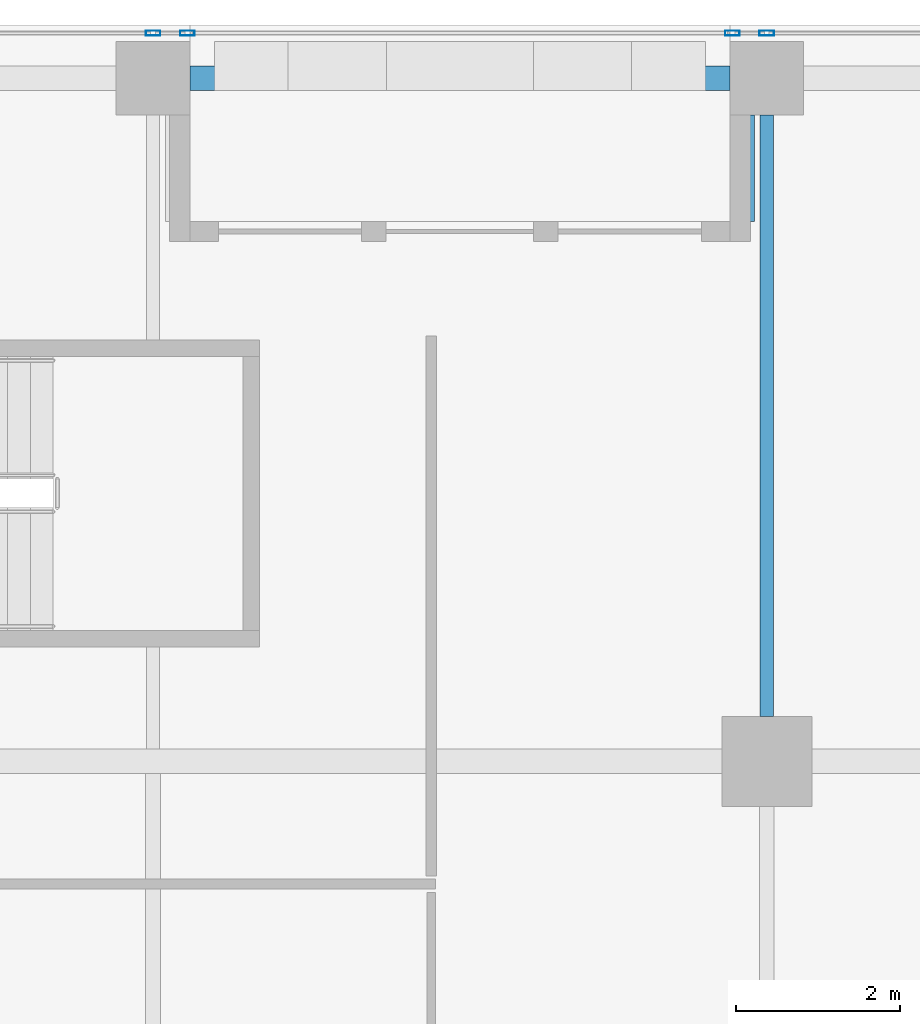
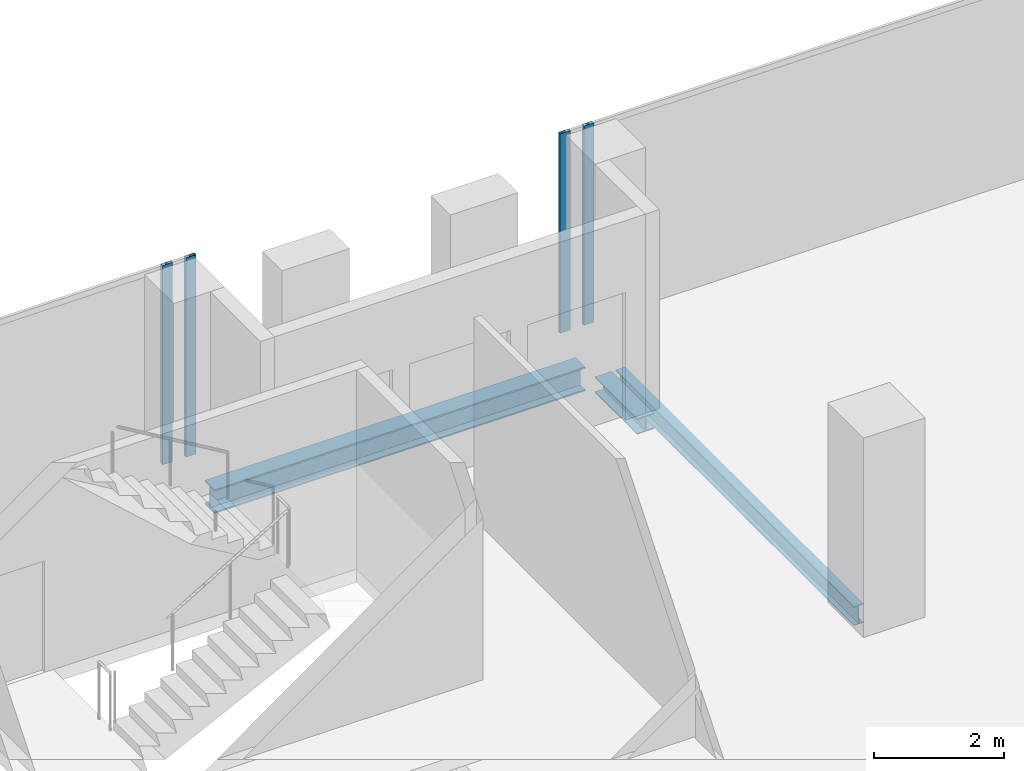
# One storey, part 20 of 34: 4 members, 3 beams, 2 elements without a shape of their own.
"""IFC4 building model written with IfcOpenShell, lengths in metres."""

from ifc_helpers import new_model, si_unit, direction, frame, origin, origin_2d, place, context, subcontext, project, spatial, hollow_rectangle, i_section, extrude, source, transform, mapped, material, material_profile, profile_set, type_object, element, aggregate, save


model = new_model("IFC4")

# Units and contexts
model_context = context("Model", 3, precision=1e-05, world=origin(), true_north=direction((0.0, 1.0)))
body_context = subcontext(model_context, "Body", "Model", "MODEL_VIEW")
ifc_project = project(units=[si_unit("LENGTHUNIT", "METRE"), si_unit("AREAUNIT", "SQUARE_METRE"), si_unit("VOLUMEUNIT", "CUBIC_METRE"), si_unit("PLANEANGLEUNIT", "RADIAN"), si_unit("MASSUNIT", "GRAM", prefix="KILO")], contexts=[model_context])

# Site, building, storey
site_placement = place(None, origin())
site = spatial("IfcSite", under=ifc_project, at=site_placement, CompositionType="ELEMENT")
building_placement = place(site_placement, origin())
building = spatial("IfcBuilding", under=site, at=building_placement, Name="Khomas Fold Tower", CompositionType="ELEMENT")
storey_placement = place(building_placement, frame((0.0, 0.0, 242.199951171875)))
storey = spatial("IfcBuildingStorey", under=building, at=storey_placement, Name="L54", CompositionType="ELEMENT", Elevation=242.199951171875)

# Beams
ifc_material_1 = material(Name="Steel S355", Category="steel")
ifc_material_profile_1 = material_profile(ifc_material_1, i_section(OverallWidth=0.300048828125, OverallDepth=0.449951171875, WebThickness=0.013916015625, FlangeThickness=0.02587890625, at=origin_2d()), Name="HE 450 B")
ifc_profile_set_1 = profile_set([ifc_material_profile_1], Name="Steel S355")
beam_type_1 = type_object("IfcBeamType", Name="HE 450 B spandrel SB4", PredefinedType="SPANDREL", material=ifc_profile_set_1)
shared_shape_1 = source(origin(), body_context, "Body", "SweptSolid", [
    extrude(i_section(OverallWidth=0.300048828125, OverallDepth=0.449951171875, WebThickness=0.013916015625, FlangeThickness=0.02587890625, at=origin_2d()), origin(), (0.0, 0.0, 1.0), 6.60009765625),
])
beam_1_placement = place(storey_placement, frame((27.449951171875, 48.85009765625, -0.474853515625), z_axis=(1.0, 0.0, 0.0), x_axis=(0.0, 1.0, 0.0)))
element("IfcBeam", 1, at=beam_1_placement, inside=storey, type_object=beam_type_1, Name="SB4", PredefinedType="SPANDREL", context=body_context, shape_type="MappedRepresentation", body=[
    mapped(shared_shape_1, transform((0.0, 0.0, 0.0))),
])
ifc_material_2 = material(Name="Steel S355", Category="steel")
ifc_material_profile_2 = material_profile(ifc_material_2, i_section(OverallWidth=0.169921875, OverallDepth=0.360107421875, WebThickness=0.008056640625, FlangeThickness=0.0126953125, at=origin_2d()), Name="IPE 360")
ifc_profile_set_2 = profile_set([ifc_material_profile_2], Name="Steel S355")
beam_type_2 = type_object("IfcBeamType", Name="IPE 360 beam JB2", PredefinedType="BEAM", material=ifc_profile_set_2)
shared_shape_2 = source(origin(), body_context, "Body", "SweptSolid", [
    extrude(i_section(OverallWidth=0.169921875, OverallDepth=0.360107421875, WebThickness=0.008056640625, FlangeThickness=0.0126953125, at=origin_2d()), origin(), (0.0, 0.0, 1.0), 7.349853515625),
])
beam_2_placement = place(storey_placement, frame((34.5, 41.050048828125, -0.429931640625), z_axis=(0.0, 1.0, 0.0), x_axis=(-1.0, 0.0, 0.0)))
element("IfcBeam", 2, at=beam_2_placement, inside=storey, type_object=beam_type_2, Name="JB2", PredefinedType="BEAM", context=body_context, shape_type="MappedRepresentation", body=[
    mapped(shared_shape_2, transform((0.0, 0.0, 0.0))),
])
ifc_material_3 = material(Name="Steel S355", Category="steel")
ifc_material_profile_3 = material_profile(ifc_material_3, i_section(OverallWidth=0.300048828125, OverallDepth=0.300048828125, WebThickness=0.010986328125, FlangeThickness=0.01904296875, at=origin_2d()), Name="HE 300 B")
ifc_profile_set_3 = profile_set([ifc_material_profile_3], Name="Steel S355")
beam_type_3 = type_object("IfcBeamType", Name="HE 300 B beam BB1", PredefinedType="BEAM", material=ifc_profile_set_3)
shared_shape_3 = source(origin(), body_context, "Body", "SweptSolid", [
    extrude(i_section(OverallWidth=0.300048828125, OverallDepth=0.300048828125, WebThickness=0.010986328125, FlangeThickness=0.01904296875, at=origin_2d()), origin(), (0.0, 0.0, 1.0), 1.2998046875),
])
beam_3_placement = place(storey_placement, frame((34.199951171875, 47.10009765625, -0.39990234375), z_axis=(0.0, 1.0, 0.0), x_axis=(-1.0, 0.0, 0.0)))
element("IfcBeam", 3, at=beam_3_placement, inside=storey, type_object=beam_type_3, Name="BB1", PredefinedType="BEAM", context=body_context, shape_type="MappedRepresentation", body=[
    mapped(shared_shape_3, transform((0.0, 0.0, 0.0))),
])

# Curtain wall, members
ifc_material_4 = material(Name="Aluminium framed double glazing", Category="aluminium")
curtain_wall_type = type_object("IfcCurtainWallType", Name="SK-Unitised clear-glass wall, office floors CW2", PredefinedType="NOTDEFINED", material=ifc_material_4)
curtain_wall_1_placement = place(storey_placement, origin())
curtain_wall_1 = element("IfcCurtainWall", 4, at=curtain_wall_1_placement, inside=storey, type_object=curtain_wall_type, Name="CW2 run L54 06-0", PredefinedType="NOTDEFINED")
ifc_material_5 = material(Name="Aluminium", Category="aluminium")
ifc_material_profile_4 = material_profile(ifc_material_5, hollow_rectangle(XDim=0.06005859375, YDim=0.179931640625, WallThickness=0.00390625, at=origin_2d()), Name="SK-Unitised clear-glass wall, office floors mullion CW2-M")
ifc_profile_set_4 = profile_set([ifc_material_profile_4], Name="Aluminium")
member_type = type_object("IfcMemberType", Name="SK-Unitised clear-glass wall, office floors mullion CW2-M", PredefinedType="MULLION", material=ifc_profile_set_4)
shared_shape_4 = source(origin(), body_context, "Body", "SweptSolid", [
    extrude(hollow_rectangle(XDim=0.06005859375, YDim=0.179931640625, WallThickness=0.00390625, at=origin_2d()), origin(), (0.0, 0.0, 1.0), 3.75),
])
member_1_placement = place(storey_placement, frame((34.5, 49.39990234375, 0.0), z_axis=(0.0, 0.0, 1.0), x_axis=(0.0, -1.0, 0.0)))
member_1 = element("IfcMember", 5, at=member_1_placement, type_object=member_type, Name="CW2 mullion 3", PredefinedType="MULLION", context=body_context, shape_type="MappedRepresentation", body=[
    mapped(shared_shape_4, transform((0.0, 0.0, 0.0))),
])
member_2_placement = place(storey_placement, frame((34.080078125, 49.39990234375, 0.0), z_axis=(0.0, 0.0, 1.0), x_axis=(0.0, -1.0, 0.0)))
member_2 = element("IfcMember", 6, at=member_2_placement, type_object=member_type, Name="CW2 mullion 4", PredefinedType="MULLION", context=body_context, shape_type="MappedRepresentation", body=[
    mapped(shared_shape_4, transform((0.0, 0.0, 0.0))),
])
aggregate(curtain_wall_1, [member_1, member_2])

curtain_wall_2_placement = place(storey_placement, origin())
curtain_wall_2 = element("IfcCurtainWall", 7, at=curtain_wall_2_placement, inside=storey, type_object=curtain_wall_type, Name="CW2 run L54 06-1", PredefinedType="NOTDEFINED")
member_3_placement = place(storey_placement, frame((27.419921875, 49.39990234375, 0.0), z_axis=(0.0, 0.0, 1.0), x_axis=(0.0, -1.0, 0.0)))
member_3 = element("IfcMember", 8, at=member_3_placement, type_object=member_type, Name="CW2 mullion 1", PredefinedType="MULLION", context=body_context, shape_type="MappedRepresentation", body=[
    mapped(shared_shape_4, transform((0.0, 0.0, 0.0))),
])
member_4_placement = place(storey_placement, frame((27.0, 49.39990234375, 0.0), z_axis=(0.0, 0.0, 1.0), x_axis=(0.0, -1.0, 0.0)))
member_4 = element("IfcMember", 9, at=member_4_placement, type_object=member_type, Name="CW2 mullion 2", PredefinedType="MULLION", context=body_context, shape_type="MappedRepresentation", body=[
    mapped(shared_shape_4, transform((0.0, 0.0, 0.0))),
])
aggregate(curtain_wall_2, [member_3, member_4])

save(model, "model.ifc")
